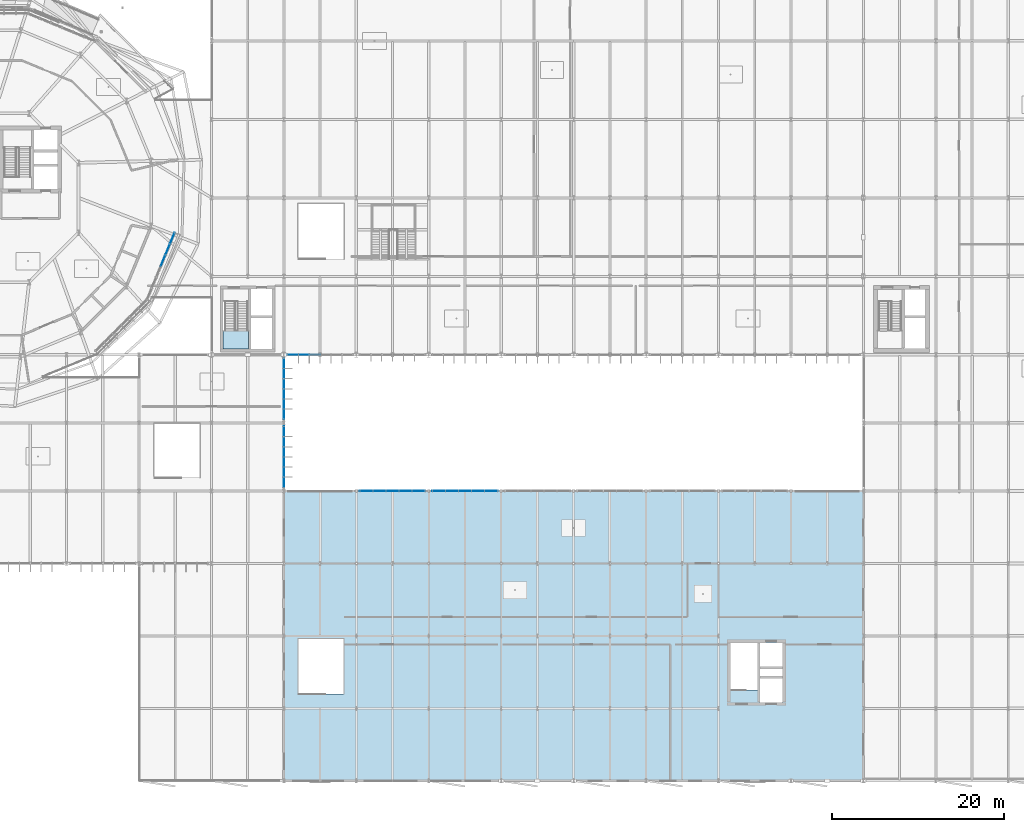
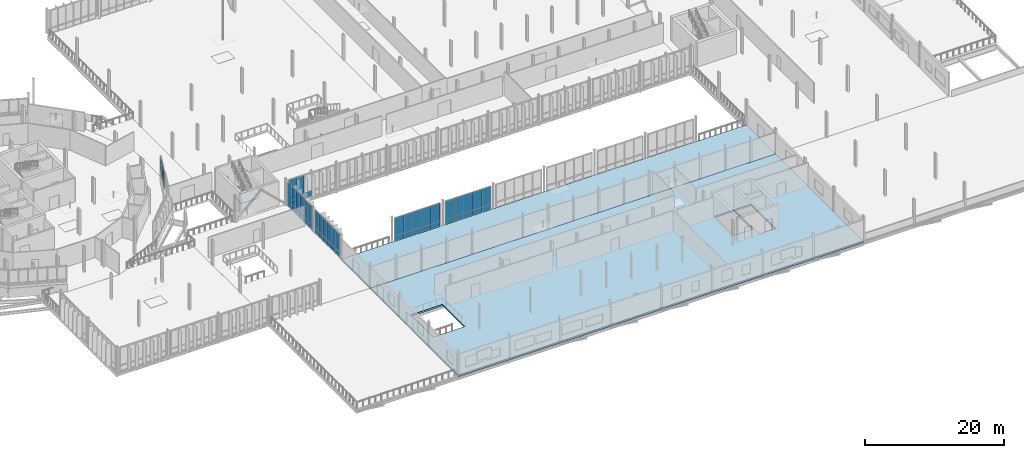
# One storey, part 87 of 139: 55 plates, 3 slabs, 7 elements without a shape of their own.
"""IFC4 building model written with IfcOpenShell, lengths in metres."""

from ifc_helpers import new_model, si_unit, derived_unit, direction, frame, origin, origin_2d, place, context, subcontext, project, spatial, polyline, rectangle, outline, extrude, material, layer, layer_set, type_object, element, aggregate, save


model = new_model("IFC4")

# Units and contexts
model_context = context("Model", 3, precision=1e-05, world=origin(), true_north=direction((0.0, 1.0)))
body_context = subcontext(model_context, "Body", "Model", "MODEL_VIEW")
ifc_project = project(units=[si_unit("LENGTHUNIT", "METRE"), si_unit("AREAUNIT", "SQUARE_METRE"), si_unit("VOLUMEUNIT", "CUBIC_METRE"), si_unit("PLANEANGLEUNIT", "RADIAN"), si_unit("MASSUNIT", "GRAM", prefix="KILO"), derived_unit("THERMALTRANSMITTANCEUNIT", [(si_unit("MASSUNIT", "GRAM", prefix="KILO"), 1), (si_unit("TIMEUNIT", "SECOND"), -3), (si_unit("THERMODYNAMICTEMPERATUREUNIT", "KELVIN"), -1)])], contexts=[model_context])

# Site, building, storey
site_placement = place(None, origin())
site = spatial("IfcSite", under=ifc_project, at=site_placement, CompositionType="ELEMENT")
building_placement = place(site_placement, origin())
building = spatial("IfcBuilding", under=site, at=building_placement, Name="Makaiwela Harbour Ferry Terminal", CompositionType="ELEMENT")
storey_placement = place(building_placement, frame((0.0, 0.0, 5.10009765625)))
storey = spatial("IfcBuildingStorey", under=building, at=storey_placement, Name="L01", CompositionType="ELEMENT", Elevation=5.10009765625)

# Curtain wall, plates
ifc_material_1 = material(Name="Marine anodised aluminium 6063-T6", Category="aluminium")
ifc_layer_1 = layer(ifc_material_1, 0.199951171875)
ifc_layer_set_1 = layer_set([ifc_layer_1], Name="Marine anodised aluminium 6063-T6")
curtain_wall_type_1 = type_object("IfcCurtainWallType", Name="ENV-CW-03", PredefinedType="USERDEFINED", material=ifc_layer_set_1)
curtain_wall_1_placement = place(storey_placement, origin())
curtain_wall_1 = element("IfcCurtainWall", 1, at=curtain_wall_1_placement, inside=storey, type_object=curtain_wall_type_1, Name="Unitised Curtain Wall CWA-019", ObjectType="UNITIZED CURTAIN WALL", PredefinedType="USERDEFINED")
ifc_material_2 = material(Name="Laminated hurricane-impact low-E insulated glazing", Category="glass")
ifc_layer_2 = layer(ifc_material_2, 0.031982421875)
ifc_layer_set_2 = layer_set([ifc_layer_2], Name="Laminated hurricane-impact low-E insulated glazing")
plate_type_1 = type_object("IfcPlateType", Name="CW-PNL-G05", PredefinedType="CURTAIN_PANEL", material=ifc_layer_set_2)
plate_1_placement = place(storey_placement, frame((57.38916015625, 60.317138671875, 1.89990234375), z_axis=(0.0, 0.0, 1.0), x_axis=(0.382683432365, 0.923879532511, 0.0)))
plate_1 = element("IfcPlate", 2, at=plate_1_placement, type_object=plate_type_1, Name="Glazed Vision Panel CWA-019-4G", PredefinedType="CURTAIN_PANEL", context=body_context, shape_type="SweptSolid", body=[
    extrude(rectangle(XDim=1.39453125, YDim=0.031982421875, at=origin_2d()), origin(), (0.0, 0.0, 1.0), 2.340087890625),
])
plate_2_placement = place(storey_placement, frame((57.9228515625, 61.605712890625, 1.89990234375), z_axis=(0.0, 0.0, 1.0), x_axis=(0.382683432365, 0.923879532511, 0.0)))
plate_2 = element("IfcPlate", 3, at=plate_2_placement, type_object=plate_type_1, Name="Glazed Vision Panel CWA-019-5G", PredefinedType="CURTAIN_PANEL", context=body_context, shape_type="SweptSolid", body=[
    extrude(rectangle(XDim=1.39453125, YDim=0.031982421875, at=origin_2d()), origin(), (0.0, 0.0, 1.0), 2.340087890625),
])
plate_3_placement = place(storey_placement, frame((58.45654296875, 62.89404296875, 1.89990234375), z_axis=(0.0, 0.0, 1.0), x_axis=(0.382683432365, 0.923879532511, 0.0)))
plate_3 = element("IfcPlate", 4, at=plate_3_placement, type_object=plate_type_1, Name="Glazed Vision Panel CWA-019-6G", PredefinedType="CURTAIN_PANEL", context=body_context, shape_type="SweptSolid", body=[
    extrude(rectangle(XDim=1.39453125, YDim=0.031982421875, at=origin_2d()), origin(), (0.0, 0.0, 1.0), 2.340087890625),
])

ifc_layer_3 = layer(ifc_material_1, 0.199951171875)
ifc_layer_set_3 = layer_set([ifc_layer_3], Name="Marine anodised aluminium 6063-T6")
curtain_wall_type_2 = type_object("IfcCurtainWallType", Name="ENV-CW-08", PredefinedType="USERDEFINED", material=ifc_layer_set_3)
curtain_wall_2_placement = place(storey_placement, origin())
curtain_wall_2 = element("IfcCurtainWall", 5, at=curtain_wall_2_placement, inside=storey, type_object=curtain_wall_type_2, Name="Unitised Curtain Wall CWA-074", ObjectType="UNITIZED CURTAIN WALL", PredefinedType="USERDEFINED")
ifc_layer_4 = layer(ifc_material_2, 0.031982421875)
ifc_layer_set_4 = layer_set([ifc_layer_4], Name="Laminated hurricane-impact low-E insulated glazing")
plate_type_2 = type_object("IfcPlateType", Name="CW-PNL-G12", PredefinedType="CURTAIN_PANEL", material=ifc_layer_set_4)
plate_4_placement = place(storey_placement, frame((73.7099609375, 49.39990234375, 0.949951171875), z_axis=(0.0, 0.0, 1.0), x_axis=(-1.0, 0.0, 0.0)))
plate_4 = element("IfcPlate", 6, at=plate_4_placement, type_object=plate_type_2, Name="Glazed Vision Panel CWA-074-5G", PredefinedType="CURTAIN_PANEL", context=body_context, shape_type="SweptSolid", body=[
    extrude(rectangle(XDim=1.260009765625, YDim=0.031982421875, at=origin_2d()), origin(), (0.0, 0.0, 1.0), 3.14990234375),
])
plate_5_placement = place(storey_placement, frame((72.449951171875, 49.39990234375, 0.949951171875), z_axis=(0.0, 0.0, 1.0), x_axis=(-1.0, 0.0, 0.0)))
plate_5 = element("IfcPlate", 7, at=plate_5_placement, type_object=plate_type_2, Name="Glazed Vision Panel CWA-074-6G", PredefinedType="CURTAIN_PANEL", context=body_context, shape_type="SweptSolid", body=[
    extrude(rectangle(XDim=1.260009765625, YDim=0.031982421875, at=origin_2d()), origin(), (0.0, 0.0, 1.0), 3.14990234375),
])

ifc_layer_5 = layer(ifc_material_1, 0.199951171875)
ifc_layer_set_5 = layer_set([ifc_layer_5], Name="Marine anodised aluminium 6063-T6")
curtain_wall_type_3 = type_object("IfcCurtainWallType", Name="ENV-CW-13", PredefinedType="USERDEFINED", material=ifc_layer_set_5)
curtain_wall_3_placement = place(storey_placement, origin())
curtain_wall_3 = element("IfcCurtainWall", 8, at=curtain_wall_3_placement, inside=storey, type_object=curtain_wall_type_3, Name="Unitised Curtain Wall CWA-109", ObjectType="UNITIZED CURTAIN WALL", PredefinedType="USERDEFINED")
ifc_layer_6 = layer(ifc_material_2, 0.031982421875)
ifc_layer_set_6 = layer_set([ifc_layer_6], Name="Laminated hurricane-impact low-E insulated glazing")
plate_type_3 = type_object("IfcPlateType", Name="CW-PNL-G18", PredefinedType="CURTAIN_PANEL", material=ifc_layer_set_6)
plate_6_placement = place(storey_placement, frame((71.39990234375, 40.49169921875, 0.949951171875), z_axis=(0.0, 0.0, 1.0), x_axis=(0.0, -1.0, 0.0)))
plate_6 = element("IfcPlate", 9, at=plate_6_placement, type_object=plate_type_3, Name="Glazed Vision Panel CWA-109-1G", PredefinedType="CURTAIN_PANEL", context=body_context, shape_type="SweptSolid", body=[
    extrude(rectangle(XDim=1.1767578125, YDim=0.031982421875, at=origin_2d()), origin(), (0.0, 0.0, 1.0), 3.14990234375),
])
plate_7_placement = place(storey_placement, frame((71.39990234375, 39.31494140625, 0.949951171875), z_axis=(0.0, 0.0, 1.0), x_axis=(0.0, -1.0, 0.0)))
plate_7 = element("IfcPlate", 10, at=plate_7_placement, type_object=plate_type_3, Name="Glazed Vision Panel CWA-109-2G", PredefinedType="CURTAIN_PANEL", context=body_context, shape_type="SweptSolid", body=[
    extrude(rectangle(XDim=1.1767578125, YDim=0.031982421875, at=origin_2d()), origin(), (0.0, 0.0, 1.0), 3.14990234375),
])
plate_8_placement = place(storey_placement, frame((71.39990234375, 38.13818359375, 0.949951171875), z_axis=(0.0, 0.0, 1.0), x_axis=(0.0, -1.0, 0.0)))
plate_8 = element("IfcPlate", 11, at=plate_8_placement, type_object=plate_type_3, Name="Glazed Vision Panel CWA-109-3G", PredefinedType="CURTAIN_PANEL", context=body_context, shape_type="SweptSolid", body=[
    extrude(rectangle(XDim=1.1767578125, YDim=0.031982421875, at=origin_2d()), origin(), (0.0, 0.0, 1.0), 3.14990234375),
])
plate_9_placement = place(storey_placement, frame((71.39990234375, 36.961669921875, 0.949951171875), z_axis=(0.0, 0.0, 1.0), x_axis=(0.0, -1.0, 0.0)))
plate_9 = element("IfcPlate", 12, at=plate_9_placement, type_object=plate_type_3, Name="Glazed Vision Panel CWA-109-4G", PredefinedType="CURTAIN_PANEL", context=body_context, shape_type="SweptSolid", body=[
    extrude(rectangle(XDim=1.1767578125, YDim=0.031982421875, at=origin_2d()), origin(), (0.0, 0.0, 1.0), 3.14990234375),
])
plate_10_placement = place(storey_placement, frame((71.39990234375, 35.784912109375, 0.949951171875), z_axis=(0.0, 0.0, 1.0), x_axis=(0.0, -1.0, 0.0)))
plate_10 = element("IfcPlate", 13, at=plate_10_placement, type_object=plate_type_3, Name="Glazed Vision Panel CWA-109-5G", PredefinedType="CURTAIN_PANEL", context=body_context, shape_type="SweptSolid", body=[
    extrude(rectangle(XDim=1.1767578125, YDim=0.031982421875, at=origin_2d()), origin(), (0.0, 0.0, 1.0), 3.14990234375),
])
plate_11_placement = place(storey_placement, frame((71.39990234375, 34.6083984375, 0.949951171875), z_axis=(0.0, 0.0, 1.0), x_axis=(0.0, -1.0, 0.0)))
plate_11 = element("IfcPlate", 14, at=plate_11_placement, type_object=plate_type_3, Name="Glazed Vision Panel CWA-109-6G", PredefinedType="CURTAIN_PANEL", context=body_context, shape_type="SweptSolid", body=[
    extrude(rectangle(XDim=1.1767578125, YDim=0.031982421875, at=origin_2d()), origin(), (0.0, 0.0, 1.0), 3.14990234375),
])

curtain_wall_4_placement = place(storey_placement, origin())
curtain_wall_4 = element("IfcCurtainWall", 15, at=curtain_wall_4_placement, inside=storey, type_object=curtain_wall_type_3, Name="Unitised Curtain Wall CWA-112", ObjectType="UNITIZED CURTAIN WALL", PredefinedType="USERDEFINED")
plate_12_placement = place(storey_placement, frame((71.39990234375, 48.3916015625, 0.949951171875), z_axis=(0.0, 0.0, 1.0), x_axis=(0.0, -1.0, 0.0)))
plate_12 = element("IfcPlate", 16, at=plate_12_placement, type_object=plate_type_3, Name="Glazed Vision Panel CWA-112-1G", PredefinedType="CURTAIN_PANEL", context=body_context, shape_type="SweptSolid", body=[
    extrude(rectangle(XDim=1.1767578125, YDim=0.031982421875, at=origin_2d()), origin(), (0.0, 0.0, 1.0), 3.14990234375),
])
plate_13_placement = place(storey_placement, frame((71.39990234375, 47.215087890625, 0.949951171875), z_axis=(0.0, 0.0, 1.0), x_axis=(0.0, -1.0, 0.0)))
plate_13 = element("IfcPlate", 17, at=plate_13_placement, type_object=plate_type_3, Name="Glazed Vision Panel CWA-112-2G", PredefinedType="CURTAIN_PANEL", context=body_context, shape_type="SweptSolid", body=[
    extrude(rectangle(XDim=1.1767578125, YDim=0.031982421875, at=origin_2d()), origin(), (0.0, 0.0, 1.0), 3.14990234375),
])
plate_14_placement = place(storey_placement, frame((71.39990234375, 46.038330078125, 0.949951171875), z_axis=(0.0, 0.0, 1.0), x_axis=(0.0, -1.0, 0.0)))
plate_14 = element("IfcPlate", 18, at=plate_14_placement, type_object=plate_type_3, Name="Glazed Vision Panel CWA-112-3G", PredefinedType="CURTAIN_PANEL", context=body_context, shape_type="SweptSolid", body=[
    extrude(rectangle(XDim=1.1767578125, YDim=0.031982421875, at=origin_2d()), origin(), (0.0, 0.0, 1.0), 3.14990234375),
])
plate_15_placement = place(storey_placement, frame((71.39990234375, 44.86181640625, 0.949951171875), z_axis=(0.0, 0.0, 1.0), x_axis=(0.0, -1.0, 0.0)))
plate_15 = element("IfcPlate", 19, at=plate_15_placement, type_object=plate_type_3, Name="Glazed Vision Panel CWA-112-4G", PredefinedType="CURTAIN_PANEL", context=body_context, shape_type="SweptSolid", body=[
    extrude(rectangle(XDim=1.1767578125, YDim=0.031982421875, at=origin_2d()), origin(), (0.0, 0.0, 1.0), 3.14990234375),
])
plate_16_placement = place(storey_placement, frame((71.39990234375, 43.68505859375, 0.949951171875), z_axis=(0.0, 0.0, 1.0), x_axis=(0.0, -1.0, 0.0)))
plate_16 = element("IfcPlate", 20, at=plate_16_placement, type_object=plate_type_3, Name="Glazed Vision Panel CWA-112-5G", PredefinedType="CURTAIN_PANEL", context=body_context, shape_type="SweptSolid", body=[
    extrude(rectangle(XDim=1.1767578125, YDim=0.031982421875, at=origin_2d()), origin(), (0.0, 0.0, 1.0), 3.14990234375),
])
plate_17_placement = place(storey_placement, frame((71.39990234375, 42.50830078125, 0.949951171875), z_axis=(0.0, 0.0, 1.0), x_axis=(0.0, -1.0, 0.0)))
plate_17 = element("IfcPlate", 21, at=plate_17_placement, type_object=plate_type_3, Name="Glazed Vision Panel CWA-112-6G", PredefinedType="CURTAIN_PANEL", context=body_context, shape_type="SweptSolid", body=[
    extrude(rectangle(XDim=1.1767578125, YDim=0.031982421875, at=origin_2d()), origin(), (0.0, 0.0, 1.0), 3.14990234375),
])

curtain_wall_5_placement = place(storey_placement, origin())
curtain_wall_5 = element("IfcCurtainWall", 22, at=curtain_wall_5_placement, inside=storey, type_object=curtain_wall_type_2, Name="Unitised Curtain Wall CWA-141", ObjectType="UNITIZED CURTAIN WALL", PredefinedType="USERDEFINED")
ifc_layer_7 = layer(ifc_material_2, 0.031982421875)
ifc_layer_set_7 = layer_set([ifc_layer_7], Name="Laminated hurricane-impact low-E insulated glazing")
plate_type_4 = type_object("IfcPlateType", Name="CW-PNL-G32", PredefinedType="CURTAIN_PANEL", material=ifc_layer_set_7)
plate_18_placement = place(storey_placement, frame((87.02392578125, 33.60009765625, 0.949951171875), z_axis=(0.0, 0.0, 1.0), x_axis=(-1.0, 0.0, 0.0)))
plate_18 = element("IfcPlate", 23, at=plate_18_placement, type_object=plate_type_4, Name="Glazed Vision Panel CWA-141-1G", PredefinedType="CURTAIN_PANEL", context=body_context, shape_type="SweptSolid", body=[
    extrude(rectangle(XDim=1.511962890625, YDim=0.031982421875, at=origin_2d()), origin(), (0.0, 0.0, 1.0), 3.14990234375),
])
plate_19_placement = place(storey_placement, frame((85.511962890625, 33.60009765625, 0.949951171875), z_axis=(0.0, 0.0, 1.0), x_axis=(-1.0, 0.0, 0.0)))
plate_19 = element("IfcPlate", 24, at=plate_19_placement, type_object=plate_type_4, Name="Glazed Vision Panel CWA-141-2G", PredefinedType="CURTAIN_PANEL", context=body_context, shape_type="SweptSolid", body=[
    extrude(rectangle(XDim=1.511962890625, YDim=0.031982421875, at=origin_2d()), origin(), (0.0, 0.0, 1.0), 3.14990234375),
])
plate_20_placement = place(storey_placement, frame((84.0, 33.60009765625, 0.949951171875), z_axis=(0.0, 0.0, 1.0), x_axis=(-1.0, 0.0, 0.0)))
plate_20 = element("IfcPlate", 25, at=plate_20_placement, type_object=plate_type_4, Name="Glazed Vision Panel CWA-141-3G", PredefinedType="CURTAIN_PANEL", context=body_context, shape_type="SweptSolid", body=[
    extrude(rectangle(XDim=1.511962890625, YDim=0.031982421875, at=origin_2d()), origin(), (0.0, 0.0, 1.0), 3.14990234375),
])
plate_21_placement = place(storey_placement, frame((82.488037109375, 33.60009765625, 0.949951171875), z_axis=(0.0, 0.0, 1.0), x_axis=(-1.0, 0.0, 0.0)))
plate_21 = element("IfcPlate", 26, at=plate_21_placement, type_object=plate_type_4, Name="Glazed Vision Panel CWA-141-4G", PredefinedType="CURTAIN_PANEL", context=body_context, shape_type="SweptSolid", body=[
    extrude(rectangle(XDim=1.511962890625, YDim=0.031982421875, at=origin_2d()), origin(), (0.0, 0.0, 1.0), 3.14990234375),
])
plate_22_placement = place(storey_placement, frame((80.97607421875, 33.60009765625, 0.949951171875), z_axis=(0.0, 0.0, 1.0), x_axis=(-1.0, 0.0, 0.0)))
plate_22 = element("IfcPlate", 27, at=plate_22_placement, type_object=plate_type_4, Name="Glazed Vision Panel CWA-141-5G", PredefinedType="CURTAIN_PANEL", context=body_context, shape_type="SweptSolid", body=[
    extrude(rectangle(XDim=1.511962890625, YDim=0.031982421875, at=origin_2d()), origin(), (0.0, 0.0, 1.0), 3.14990234375),
])

curtain_wall_6_placement = place(storey_placement, origin())
curtain_wall_6 = element("IfcCurtainWall", 28, at=curtain_wall_6_placement, inside=storey, type_object=curtain_wall_type_2, Name="Unitised Curtain Wall CWA-143", ObjectType="UNITIZED CURTAIN WALL", PredefinedType="USERDEFINED")
plate_23_placement = place(storey_placement, frame((95.424072265625, 33.60009765625, 0.949951171875), z_axis=(0.0, 0.0, 1.0), x_axis=(-1.0, 0.0, 0.0)))
plate_23 = element("IfcPlate", 29, at=plate_23_placement, type_object=plate_type_4, Name="Glazed Vision Panel CWA-143-1G", PredefinedType="CURTAIN_PANEL", context=body_context, shape_type="SweptSolid", body=[
    extrude(rectangle(XDim=1.511962890625, YDim=0.031982421875, at=origin_2d()), origin(), (0.0, 0.0, 1.0), 3.14990234375),
])
plate_24_placement = place(storey_placement, frame((93.912109375, 33.60009765625, 0.949951171875), z_axis=(0.0, 0.0, 1.0), x_axis=(-1.0, 0.0, 0.0)))
plate_24 = element("IfcPlate", 30, at=plate_24_placement, type_object=plate_type_4, Name="Glazed Vision Panel CWA-143-2G", PredefinedType="CURTAIN_PANEL", context=body_context, shape_type="SweptSolid", body=[
    extrude(rectangle(XDim=1.511962890625, YDim=0.031982421875, at=origin_2d()), origin(), (0.0, 0.0, 1.0), 3.14990234375),
])
plate_25_placement = place(storey_placement, frame((92.39990234375, 33.60009765625, 0.949951171875), z_axis=(0.0, 0.0, 1.0), x_axis=(-1.0, 0.0, 0.0)))
plate_25 = element("IfcPlate", 31, at=plate_25_placement, type_object=plate_type_4, Name="Glazed Vision Panel CWA-143-3G", PredefinedType="CURTAIN_PANEL", context=body_context, shape_type="SweptSolid", body=[
    extrude(rectangle(XDim=1.511962890625, YDim=0.031982421875, at=origin_2d()), origin(), (0.0, 0.0, 1.0), 3.14990234375),
])
plate_26_placement = place(storey_placement, frame((90.887939453125, 33.60009765625, 0.949951171875), z_axis=(0.0, 0.0, 1.0), x_axis=(-1.0, 0.0, 0.0)))
plate_26 = element("IfcPlate", 32, at=plate_26_placement, type_object=plate_type_4, Name="Glazed Vision Panel CWA-143-4G", PredefinedType="CURTAIN_PANEL", context=body_context, shape_type="SweptSolid", body=[
    extrude(rectangle(XDim=1.511962890625, YDim=0.031982421875, at=origin_2d()), origin(), (0.0, 0.0, 1.0), 3.14990234375),
])
plate_27_placement = place(storey_placement, frame((89.3759765625, 33.60009765625, 0.949951171875), z_axis=(0.0, 0.0, 1.0), x_axis=(-1.0, 0.0, 0.0)))
plate_27 = element("IfcPlate", 33, at=plate_27_placement, type_object=plate_type_4, Name="Glazed Vision Panel CWA-143-5G", PredefinedType="CURTAIN_PANEL", context=body_context, shape_type="SweptSolid", body=[
    extrude(rectangle(XDim=1.511962890625, YDim=0.031982421875, at=origin_2d()), origin(), (0.0, 0.0, 1.0), 3.14990234375),
])

# Plate
ifc_material_3 = material(Name="Insulated marine aluminium spandrel panel", Category="aluminium")
ifc_layer_8 = layer(ifc_material_3, 0.048095703125)
ifc_layer_set_8 = layer_set([ifc_layer_8], Name="Insulated marine aluminium spandrel panel")
plate_type_5 = type_object("IfcPlateType", Name="CW-PNL-S04", PredefinedType="CURTAIN_PANEL", material=ifc_layer_set_8)
plate_28_placement = place(storey_placement, frame((57.38916015625, 60.317138671875, 1.47998046875), z_axis=(0.0, 0.0, 1.0), x_axis=(0.382683432365, 0.923879532511, 0.0)))
plate_28 = element("IfcPlate", 34, at=plate_28_placement, type_object=plate_type_5, Name="Spandrel Panel CWA-019-4S", PredefinedType="CURTAIN_PANEL", context=body_context, shape_type="SweptSolid", body=[
    extrude(rectangle(XDim=1.39453125, YDim=0.048095703125, at=origin_2d()), origin(), (0.0, 0.0, 1.0), 0.419921875),
])

plate_29_placement = place(storey_placement, frame((57.9228515625, 61.605712890625, 1.47998046875), z_axis=(0.0, 0.0, 1.0), x_axis=(0.382683432365, 0.923879532511, 0.0)))
plate_29 = element("IfcPlate", 35, at=plate_29_placement, type_object=plate_type_5, Name="Spandrel Panel CWA-019-5S", PredefinedType="CURTAIN_PANEL", context=body_context, shape_type="SweptSolid", body=[
    extrude(rectangle(XDim=1.39453125, YDim=0.048095703125, at=origin_2d()), origin(), (0.0, 0.0, 1.0), 0.419921875),
])

plate_30_placement = place(storey_placement, frame((58.45654296875, 62.89404296875, 1.47998046875), z_axis=(0.0, 0.0, 1.0), x_axis=(0.382683432365, 0.923879532511, 0.0)))
plate_30 = element("IfcPlate", 36, at=plate_30_placement, type_object=plate_type_5, Name="Spandrel Panel CWA-019-6S", PredefinedType="CURTAIN_PANEL", context=body_context, shape_type="SweptSolid", body=[
    extrude(rectangle(XDim=1.39453125, YDim=0.048095703125, at=origin_2d()), origin(), (0.0, 0.0, 1.0), 0.419921875),
])

aggregate(curtain_wall_1, [plate_28, plate_1, plate_29, plate_2, plate_30, plate_3])

ifc_layer_9 = layer(ifc_material_3, 0.048095703125)
ifc_layer_set_9 = layer_set([ifc_layer_9], Name="Insulated marine aluminium spandrel panel")
plate_type_6 = type_object("IfcPlateType", Name="CW-PNL-S11", PredefinedType="CURTAIN_PANEL", material=ifc_layer_set_9)
plate_31_placement = place(storey_placement, frame((74.969970703125, 49.39990234375, 0.0), z_axis=(0.0, 0.0, 1.0), x_axis=(-1.0, 0.0, 0.0)))
plate_31 = element("IfcPlate", 37, at=plate_31_placement, type_object=plate_type_6, Name="Spandrel Panel CWA-074-4S", PredefinedType="CURTAIN_PANEL", context=body_context, shape_type="SweptSolid", body=[
    extrude(rectangle(XDim=1.260009765625, YDim=0.048095703125, at=origin_2d()), origin(), (0.0, 0.0, 1.0), 0.949951171875),
])

plate_32_placement = place(storey_placement, frame((73.7099609375, 49.39990234375, 0.0), z_axis=(0.0, 0.0, 1.0), x_axis=(-1.0, 0.0, 0.0)))
plate_32 = element("IfcPlate", 38, at=plate_32_placement, type_object=plate_type_6, Name="Spandrel Panel CWA-074-5S", PredefinedType="CURTAIN_PANEL", context=body_context, shape_type="SweptSolid", body=[
    extrude(rectangle(XDim=1.260009765625, YDim=0.048095703125, at=origin_2d()), origin(), (0.0, 0.0, 1.0), 0.949951171875),
])

plate_33_placement = place(storey_placement, frame((72.449951171875, 49.39990234375, 0.0), z_axis=(0.0, 0.0, 1.0), x_axis=(-1.0, 0.0, 0.0)))
plate_33 = element("IfcPlate", 39, at=plate_33_placement, type_object=plate_type_6, Name="Spandrel Panel CWA-074-6S", PredefinedType="CURTAIN_PANEL", context=body_context, shape_type="SweptSolid", body=[
    extrude(rectangle(XDim=1.260009765625, YDim=0.048095703125, at=origin_2d()), origin(), (0.0, 0.0, 1.0), 0.949951171875),
])

aggregate(curtain_wall_2, [plate_31, plate_32, plate_4, plate_33, plate_5])

ifc_layer_10 = layer(ifc_material_3, 0.048095703125)
ifc_layer_set_10 = layer_set([ifc_layer_10], Name="Insulated marine aluminium spandrel panel")
plate_type_7 = type_object("IfcPlateType", Name="CW-PNL-S16", PredefinedType="CURTAIN_PANEL", material=ifc_layer_set_10)
plate_34_placement = place(storey_placement, frame((71.39990234375, 40.49169921875, 0.0), z_axis=(0.0, 0.0, 1.0), x_axis=(0.0, -1.0, 0.0)))
plate_34 = element("IfcPlate", 40, at=plate_34_placement, type_object=plate_type_7, Name="Spandrel Panel CWA-109-1S", PredefinedType="CURTAIN_PANEL", context=body_context, shape_type="SweptSolid", body=[
    extrude(rectangle(XDim=1.1767578125, YDim=0.048095703125, at=origin_2d()), origin(), (0.0, 0.0, 1.0), 0.949951171875),
])

plate_35_placement = place(storey_placement, frame((71.39990234375, 39.31494140625, 0.0), z_axis=(0.0, 0.0, 1.0), x_axis=(0.0, -1.0, 0.0)))
plate_35 = element("IfcPlate", 41, at=plate_35_placement, type_object=plate_type_7, Name="Spandrel Panel CWA-109-2S", PredefinedType="CURTAIN_PANEL", context=body_context, shape_type="SweptSolid", body=[
    extrude(rectangle(XDim=1.1767578125, YDim=0.048095703125, at=origin_2d()), origin(), (0.0, 0.0, 1.0), 0.949951171875),
])

plate_36_placement = place(storey_placement, frame((71.39990234375, 38.13818359375, 0.0), z_axis=(0.0, 0.0, 1.0), x_axis=(0.0, -1.0, 0.0)))
plate_36 = element("IfcPlate", 42, at=plate_36_placement, type_object=plate_type_7, Name="Spandrel Panel CWA-109-3S", PredefinedType="CURTAIN_PANEL", context=body_context, shape_type="SweptSolid", body=[
    extrude(rectangle(XDim=1.1767578125, YDim=0.048095703125, at=origin_2d()), origin(), (0.0, 0.0, 1.0), 0.949951171875),
])

plate_37_placement = place(storey_placement, frame((71.39990234375, 36.961669921875, 0.0), z_axis=(0.0, 0.0, 1.0), x_axis=(0.0, -1.0, 0.0)))
plate_37 = element("IfcPlate", 43, at=plate_37_placement, type_object=plate_type_7, Name="Spandrel Panel CWA-109-4S", PredefinedType="CURTAIN_PANEL", context=body_context, shape_type="SweptSolid", body=[
    extrude(rectangle(XDim=1.1767578125, YDim=0.048095703125, at=origin_2d()), origin(), (0.0, 0.0, 1.0), 0.949951171875),
])

plate_38_placement = place(storey_placement, frame((71.39990234375, 35.784912109375, 0.0), z_axis=(0.0, 0.0, 1.0), x_axis=(0.0, -1.0, 0.0)))
plate_38 = element("IfcPlate", 44, at=plate_38_placement, type_object=plate_type_7, Name="Spandrel Panel CWA-109-5S", PredefinedType="CURTAIN_PANEL", context=body_context, shape_type="SweptSolid", body=[
    extrude(rectangle(XDim=1.1767578125, YDim=0.048095703125, at=origin_2d()), origin(), (0.0, 0.0, 1.0), 0.949951171875),
])

plate_39_placement = place(storey_placement, frame((71.39990234375, 34.6083984375, 0.0), z_axis=(0.0, 0.0, 1.0), x_axis=(0.0, -1.0, 0.0)))
plate_39 = element("IfcPlate", 45, at=plate_39_placement, type_object=plate_type_7, Name="Spandrel Panel CWA-109-6S", PredefinedType="CURTAIN_PANEL", context=body_context, shape_type="SweptSolid", body=[
    extrude(rectangle(XDim=1.1767578125, YDim=0.048095703125, at=origin_2d()), origin(), (0.0, 0.0, 1.0), 0.949951171875),
])

aggregate(curtain_wall_3, [plate_34, plate_6, plate_35, plate_7, plate_36, plate_8, plate_37, plate_9, plate_38, plate_10, plate_39, plate_11])

plate_40_placement = place(storey_placement, frame((71.39990234375, 48.3916015625, 0.0), z_axis=(0.0, 0.0, 1.0), x_axis=(0.0, -1.0, 0.0)))
plate_40 = element("IfcPlate", 46, at=plate_40_placement, type_object=plate_type_7, Name="Spandrel Panel CWA-112-1S", PredefinedType="CURTAIN_PANEL", context=body_context, shape_type="SweptSolid", body=[
    extrude(rectangle(XDim=1.1767578125, YDim=0.048095703125, at=origin_2d()), origin(), (0.0, 0.0, 1.0), 0.949951171875),
])

plate_41_placement = place(storey_placement, frame((71.39990234375, 47.215087890625, 0.0), z_axis=(0.0, 0.0, 1.0), x_axis=(0.0, -1.0, 0.0)))
plate_41 = element("IfcPlate", 47, at=plate_41_placement, type_object=plate_type_7, Name="Spandrel Panel CWA-112-2S", PredefinedType="CURTAIN_PANEL", context=body_context, shape_type="SweptSolid", body=[
    extrude(rectangle(XDim=1.1767578125, YDim=0.048095703125, at=origin_2d()), origin(), (0.0, 0.0, 1.0), 0.949951171875),
])

plate_42_placement = place(storey_placement, frame((71.39990234375, 46.038330078125, 0.0), z_axis=(0.0, 0.0, 1.0), x_axis=(0.0, -1.0, 0.0)))
plate_42 = element("IfcPlate", 48, at=plate_42_placement, type_object=plate_type_7, Name="Spandrel Panel CWA-112-3S", PredefinedType="CURTAIN_PANEL", context=body_context, shape_type="SweptSolid", body=[
    extrude(rectangle(XDim=1.1767578125, YDim=0.048095703125, at=origin_2d()), origin(), (0.0, 0.0, 1.0), 0.949951171875),
])

plate_43_placement = place(storey_placement, frame((71.39990234375, 44.86181640625, 0.0), z_axis=(0.0, 0.0, 1.0), x_axis=(0.0, -1.0, 0.0)))
plate_43 = element("IfcPlate", 49, at=plate_43_placement, type_object=plate_type_7, Name="Spandrel Panel CWA-112-4S", PredefinedType="CURTAIN_PANEL", context=body_context, shape_type="SweptSolid", body=[
    extrude(rectangle(XDim=1.1767578125, YDim=0.048095703125, at=origin_2d()), origin(), (0.0, 0.0, 1.0), 0.949951171875),
])

plate_44_placement = place(storey_placement, frame((71.39990234375, 43.68505859375, 0.0), z_axis=(0.0, 0.0, 1.0), x_axis=(0.0, -1.0, 0.0)))
plate_44 = element("IfcPlate", 50, at=plate_44_placement, type_object=plate_type_7, Name="Spandrel Panel CWA-112-5S", PredefinedType="CURTAIN_PANEL", context=body_context, shape_type="SweptSolid", body=[
    extrude(rectangle(XDim=1.1767578125, YDim=0.048095703125, at=origin_2d()), origin(), (0.0, 0.0, 1.0), 0.949951171875),
])

plate_45_placement = place(storey_placement, frame((71.39990234375, 42.50830078125, 0.0), z_axis=(0.0, 0.0, 1.0), x_axis=(0.0, -1.0, 0.0)))
plate_45 = element("IfcPlate", 51, at=plate_45_placement, type_object=plate_type_7, Name="Spandrel Panel CWA-112-6S", PredefinedType="CURTAIN_PANEL", context=body_context, shape_type="SweptSolid", body=[
    extrude(rectangle(XDim=1.1767578125, YDim=0.048095703125, at=origin_2d()), origin(), (0.0, 0.0, 1.0), 0.949951171875),
])

aggregate(curtain_wall_4, [plate_40, plate_12, plate_41, plate_13, plate_42, plate_14, plate_43, plate_15, plate_44, plate_16, plate_45, plate_17])

ifc_layer_11 = layer(ifc_material_3, 0.048095703125)
ifc_layer_set_11 = layer_set([ifc_layer_11], Name="Insulated marine aluminium spandrel panel")
plate_type_8 = type_object("IfcPlateType", Name="CW-PNL-S30", PredefinedType="CURTAIN_PANEL", material=ifc_layer_set_11)
plate_46_placement = place(storey_placement, frame((87.02392578125, 33.60009765625, 0.0), z_axis=(0.0, 0.0, 1.0), x_axis=(-1.0, 0.0, 0.0)))
plate_46 = element("IfcPlate", 52, at=plate_46_placement, type_object=plate_type_8, Name="Spandrel Panel CWA-141-1S", PredefinedType="CURTAIN_PANEL", context=body_context, shape_type="SweptSolid", body=[
    extrude(rectangle(XDim=1.511962890625, YDim=0.048095703125, at=origin_2d()), origin(), (0.0, 0.0, 1.0), 0.949951171875),
])

plate_47_placement = place(storey_placement, frame((85.511962890625, 33.60009765625, 0.0), z_axis=(0.0, 0.0, 1.0), x_axis=(-1.0, 0.0, 0.0)))
plate_47 = element("IfcPlate", 53, at=plate_47_placement, type_object=plate_type_8, Name="Spandrel Panel CWA-141-2S", PredefinedType="CURTAIN_PANEL", context=body_context, shape_type="SweptSolid", body=[
    extrude(rectangle(XDim=1.511962890625, YDim=0.048095703125, at=origin_2d()), origin(), (0.0, 0.0, 1.0), 0.949951171875),
])

plate_48_placement = place(storey_placement, frame((84.0, 33.60009765625, 0.0), z_axis=(0.0, 0.0, 1.0), x_axis=(-1.0, 0.0, 0.0)))
plate_48 = element("IfcPlate", 54, at=plate_48_placement, type_object=plate_type_8, Name="Spandrel Panel CWA-141-3S", PredefinedType="CURTAIN_PANEL", context=body_context, shape_type="SweptSolid", body=[
    extrude(rectangle(XDim=1.511962890625, YDim=0.048095703125, at=origin_2d()), origin(), (0.0, 0.0, 1.0), 0.949951171875),
])

plate_49_placement = place(storey_placement, frame((82.488037109375, 33.60009765625, 0.0), z_axis=(0.0, 0.0, 1.0), x_axis=(-1.0, 0.0, 0.0)))
plate_49 = element("IfcPlate", 55, at=plate_49_placement, type_object=plate_type_8, Name="Spandrel Panel CWA-141-4S", PredefinedType="CURTAIN_PANEL", context=body_context, shape_type="SweptSolid", body=[
    extrude(rectangle(XDim=1.511962890625, YDim=0.048095703125, at=origin_2d()), origin(), (0.0, 0.0, 1.0), 0.949951171875),
])

plate_50_placement = place(storey_placement, frame((80.97607421875, 33.60009765625, 0.0), z_axis=(0.0, 0.0, 1.0), x_axis=(-1.0, 0.0, 0.0)))
plate_50 = element("IfcPlate", 56, at=plate_50_placement, type_object=plate_type_8, Name="Spandrel Panel CWA-141-5S", PredefinedType="CURTAIN_PANEL", context=body_context, shape_type="SweptSolid", body=[
    extrude(rectangle(XDim=1.511962890625, YDim=0.048095703125, at=origin_2d()), origin(), (0.0, 0.0, 1.0), 0.949951171875),
])

aggregate(curtain_wall_5, [plate_46, plate_18, plate_47, plate_19, plate_48, plate_20, plate_49, plate_21, plate_50, plate_22])

plate_51_placement = place(storey_placement, frame((95.424072265625, 33.60009765625, 0.0), z_axis=(0.0, 0.0, 1.0), x_axis=(-1.0, 0.0, 0.0)))
plate_51 = element("IfcPlate", 57, at=plate_51_placement, type_object=plate_type_8, Name="Spandrel Panel CWA-143-1S", PredefinedType="CURTAIN_PANEL", context=body_context, shape_type="SweptSolid", body=[
    extrude(rectangle(XDim=1.511962890625, YDim=0.048095703125, at=origin_2d()), origin(), (0.0, 0.0, 1.0), 0.949951171875),
])

plate_52_placement = place(storey_placement, frame((93.912109375, 33.60009765625, 0.0), z_axis=(0.0, 0.0, 1.0), x_axis=(-1.0, 0.0, 0.0)))
plate_52 = element("IfcPlate", 58, at=plate_52_placement, type_object=plate_type_8, Name="Spandrel Panel CWA-143-2S", PredefinedType="CURTAIN_PANEL", context=body_context, shape_type="SweptSolid", body=[
    extrude(rectangle(XDim=1.511962890625, YDim=0.048095703125, at=origin_2d()), origin(), (0.0, 0.0, 1.0), 0.949951171875),
])

plate_53_placement = place(storey_placement, frame((92.39990234375, 33.60009765625, 0.0), z_axis=(0.0, 0.0, 1.0), x_axis=(-1.0, 0.0, 0.0)))
plate_53 = element("IfcPlate", 59, at=plate_53_placement, type_object=plate_type_8, Name="Spandrel Panel CWA-143-3S", PredefinedType="CURTAIN_PANEL", context=body_context, shape_type="SweptSolid", body=[
    extrude(rectangle(XDim=1.511962890625, YDim=0.048095703125, at=origin_2d()), origin(), (0.0, 0.0, 1.0), 0.949951171875),
])

plate_54_placement = place(storey_placement, frame((90.887939453125, 33.60009765625, 0.0), z_axis=(0.0, 0.0, 1.0), x_axis=(-1.0, 0.0, 0.0)))
plate_54 = element("IfcPlate", 60, at=plate_54_placement, type_object=plate_type_8, Name="Spandrel Panel CWA-143-4S", PredefinedType="CURTAIN_PANEL", context=body_context, shape_type="SweptSolid", body=[
    extrude(rectangle(XDim=1.511962890625, YDim=0.048095703125, at=origin_2d()), origin(), (0.0, 0.0, 1.0), 0.949951171875),
])

plate_55_placement = place(storey_placement, frame((89.3759765625, 33.60009765625, 0.0), z_axis=(0.0, 0.0, 1.0), x_axis=(-1.0, 0.0, 0.0)))
plate_55 = element("IfcPlate", 61, at=plate_55_placement, type_object=plate_type_8, Name="Spandrel Panel CWA-143-5S", PredefinedType="CURTAIN_PANEL", context=body_context, shape_type="SweptSolid", body=[
    extrude(rectangle(XDim=1.511962890625, YDim=0.048095703125, at=origin_2d()), origin(), (0.0, 0.0, 1.0), 0.949951171875),
])

aggregate(curtain_wall_6, [plate_51, plate_23, plate_52, plate_24, plate_53, plate_25, plate_54, plate_26, plate_55, plate_27])

# Slabs
ifc_material_4 = material(Name="Concrete f'c 35 MPa (5000 psi)", Category="concrete")
ifc_layer_12 = layer(ifc_material_4, 0.300048828125)
ifc_layer_set_12 = layer_set([ifc_layer_12], Name="Concrete f'c 35 MPa (5000 psi)")
slab_type_1 = type_object("IfcSlabType", Name="SLB-FLR-300", PredefinedType="FLOOR", material=ifc_layer_set_12)
slab_1_placement = place(storey_placement, frame((0.0, 0.0, -0.300048828125)))
element("IfcSlab", 62, at=slab_1_placement, inside=storey, type_object=slab_type_1, Name="Slab SLB-019", PredefinedType="FLOOR", context=body_context, shape_type="SweptSolid", body=[
    extrude(outline(polyline([(71.39990234375, 25.197998046875), (71.39990234375, 0.0), (138.60009765625, 0.0), (138.60009765625, 25.199951171875), (71.39990234375, 25.197998046875)]), holes=[polyline([(123.169921875, 10.5400390625), (123.169921875, 16.030029296875), (126.325927734375, 16.030029296875), (126.325927734375, 10.5400390625), (123.169921875, 10.5400390625)]), polyline([(126.535888671875, 9.070068359375), (126.535888671875, 16.030029296875), (129.22998046875, 16.030029296875), (129.22998046875, 9.070068359375), (126.535888671875, 9.070068359375)]), polyline([(73.080078125, 10.070068359375), (73.080078125, 16.469970703125), (78.320068359375, 16.469970703125), (78.320068359375, 10.070068359375), (73.080078125, 10.070068359375)])]), origin(), (0.0, 0.0, 1.0), 0.300048828125),
])
ifc_layer_13 = layer(ifc_material_4, 0.320068359375)
ifc_layer_set_13 = layer_set([ifc_layer_13], Name="Concrete f'c 35 MPa (5000 psi)")
slab_type_2 = type_object("IfcSlabType", Name="SLB-FLR-320", PredefinedType="FLOOR", material=ifc_layer_set_13)
slab_2_placement = place(storey_placement, frame((0.0, 0.0, -0.320068359375)))
element("IfcSlab", 63, at=slab_2_placement, inside=storey, type_object=slab_type_2, Name="Slab SLB-023", PredefinedType="FLOOR", context=body_context, shape_type="SweptSolid", body=[
    extrude(outline(polyline([(71.402099609375, 33.60009765625), (71.402099609375, 25.199951171875), (138.60009765625, 25.201904296875), (138.599365234375, 33.60009765625), (71.402099609375, 33.60009765625)])), origin(), (0.0, 0.0, 1.0), 0.320068359375),
])

# Stair, slab
stair_type = type_object("IfcStairType", Name="CIR-STR-A06", PredefinedType="HALF_TURN_STAIR", material=ifc_material_4)
stair_placement = place(storey_placement, origin())
stair = element("IfcStair", 64, at=stair_placement, inside=storey, type_object=stair_type, Name="Stair ST-04-L01", PredefinedType="HALF_TURN_STAIR")
ifc_layer_14 = layer(ifc_material_4, 0.14990234375)
ifc_layer_set_14 = layer_set([ifc_layer_14], Name="Concrete f'c 35 MPa (5000 psi)")
slab_type_3 = type_object("IfcSlabType", Name="SLB-LND-150", PredefinedType="LANDING", material=ifc_layer_set_14)
slab_3_placement = place(storey_placement, frame((0.0, 0.0, 2.099853515625)))
slab_3 = element("IfcSlab", 65, at=slab_3_placement, type_object=slab_type_3, Name="Stair Half Landing LND-17", PredefinedType="LANDING", context=body_context, shape_type="SweptSolid", body=[
    extrude(outline(polyline([(64.344970703125, 50.044921875), (67.294921875, 50.044921875), (67.294921875, 52.22998046875), (64.344970703125, 52.22998046875), (64.344970703125, 50.044921875)])), origin(), (0.0, 0.0, 1.0), 0.150146484375),
])
aggregate(stair, [slab_3])

save(model, "model.ifc")
